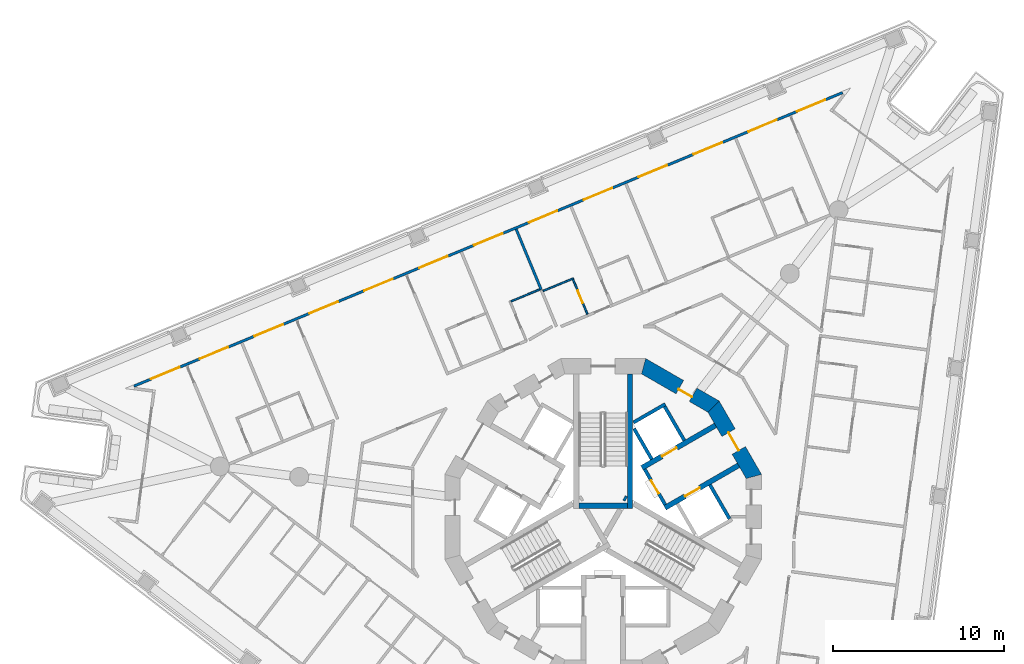
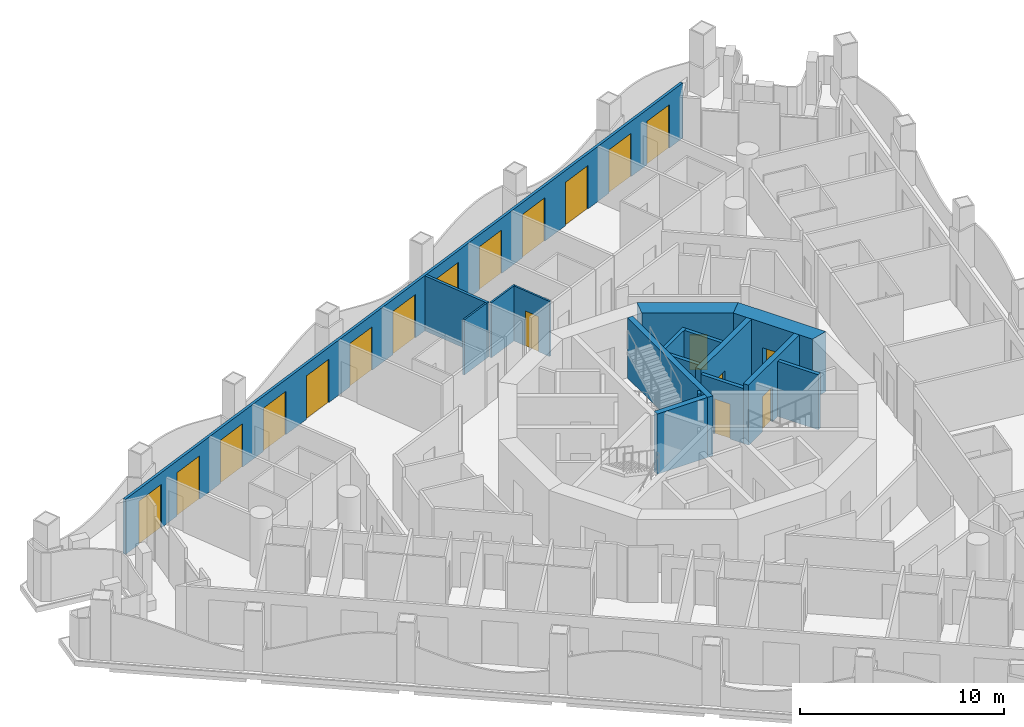
# One storey, part 8 of 17: 19 doors, 17 walls, 19 openings.
"""IFC4 building model written with IfcOpenShell, lengths in metres."""

from ifc_helpers import new_model, si_unit, direction, frame, frame_2d, origin, place, context, subcontext, project, spatial, polyline, rectangle, outline, extrude, material, layer, layer_set, type_object, element, fill, save


model = new_model("IFC4")

# Units and contexts
model_context = context("Model", 3, precision=1e-05, world=origin(), true_north=direction((0.0, 1.0)))
body_context = subcontext(model_context, "Body", "Model", "MODEL_VIEW")
ifc_project = project(units=[si_unit("LENGTHUNIT", "METRE"), si_unit("AREAUNIT", "SQUARE_METRE"), si_unit("VOLUMEUNIT", "CUBIC_METRE"), si_unit("PLANEANGLEUNIT", "RADIAN"), si_unit("MASSUNIT", "GRAM", prefix="KILO")], contexts=[model_context])

# Site, building, storey
site_placement = place(None, origin())
site = spatial("IfcSite", under=ifc_project, at=site_placement, CompositionType="ELEMENT")
building_placement = place(site_placement, origin())
building = spatial("IfcBuilding", under=site, at=building_placement, Name="Trine Commons Tower", CompositionType="ELEMENT")
storey_placement = place(building_placement, frame((0.0, 0.0, 138.60009765625)))
storey = spatial("IfcBuildingStorey", under=building, at=storey_placement, Name="L35", CompositionType="ELEMENT", Elevation=138.60009765625)

# Wall, openings, doors
ifc_material_1 = material(Name="Aluminium-framed insulated wall panel", Category="aluminium")
ifc_layer_1 = layer(ifc_material_1, 0.14990234375)
ifc_layer_set_1 = layer_set([ifc_layer_1], Name="Aluminium-framed insulated wall panel")
wall_type_1 = type_object("IfcWallType", Name="Glazed frame wall 150, EI 60", PredefinedType="SOLIDWALL", material=ifc_layer_set_1)
wall_1_placement = place(storey_placement, frame((52.38671875, 70.099609375, 0.0), z_axis=(0.0, 0.0, 1.0), x_axis=(0.92388051416, 0.382681062447, 0.0)))
wall_1 = element("IfcWall", 1, at=wall_1_placement, inside=storey, type_object=wall_type_1, Name="Glazed frame wall F1", PredefinedType="SOLIDWALL", context=body_context, shape_type="SweptSolid", body=[
    extrude(outline(polyline([(0.1494140625, 0.074951171875), (0.1494140625, -0.074951171875), (45.056884765625, -0.074951171875), (45.056884765625, 0.074951171875), (0.1494140625, 0.074951171875)])), origin(), (0.0, 0.0, 1.0), 3.2998046875),
])
opening_1_placement = place(wall_1_placement, frame((1.23876953125, 0.0, 0.0)))
opening_1 = element("IfcOpeningElement", 2, at=opening_1_placement, cuts=wall_1, Name="Opening BD-4F1-01", PredefinedType="OPENING", context=body_context, shape_type="SweptSolid", body=[
    extrude(rectangle(XDim=1.800048828125, YDim=2.60009765625, at=frame_2d((0.89990234375, 1.300048828125))), frame((0.0, 0.0849609375, 0.0), z_axis=(0.0, -1.0, 0.0), x_axis=(1.0, 0.0, 0.0)), (0.0, 0.0, 1.0), 0.169921875),
])
opening_2_placement = place(wall_1_placement, frame((4.316162109375, 0.0, 0.0)))
opening_2 = element("IfcOpeningElement", 3, at=opening_2_placement, cuts=wall_1, Name="Opening BD-4F1-02", PredefinedType="OPENING", context=body_context, shape_type="SweptSolid", body=[
    extrude(rectangle(XDim=1.800048828125, YDim=2.60009765625, at=frame_2d((0.89990234375, 1.300048828125))), frame((0.0, 0.0849609375, 0.0), z_axis=(0.0, -1.0, 0.0), x_axis=(1.0, 0.0, 0.0)), (0.0, 0.0, 1.0), 0.169921875),
])
opening_3_placement = place(wall_1_placement, frame((7.79345703125, 0.0, 0.0)))
opening_3 = element("IfcOpeningElement", 4, at=opening_3_placement, cuts=wall_1, Name="Opening BD-4F1-03", PredefinedType="OPENING", context=body_context, shape_type="SweptSolid", body=[
    extrude(rectangle(XDim=1.800048828125, YDim=2.60009765625, at=frame_2d((0.89990234375, 1.300048828125))), frame((0.0, 0.0849609375, 0.0), z_axis=(0.0, -1.0, 0.0), x_axis=(1.0, 0.0, 0.0)), (0.0, 0.0, 1.0), 0.169921875),
])
opening_4_placement = place(wall_1_placement, frame((11.27099609375, 0.0, 0.0)))
opening_4 = element("IfcOpeningElement", 5, at=opening_4_placement, cuts=wall_1, Name="Opening BD-4F1-04", PredefinedType="OPENING", context=body_context, shape_type="SweptSolid", body=[
    extrude(rectangle(XDim=1.800048828125, YDim=2.60009765625, at=frame_2d((0.89990234375, 1.300048828125))), frame((0.0, 0.0849609375, 0.0), z_axis=(0.0, -1.0, 0.0), x_axis=(1.0, 0.0, 0.0)), (0.0, 0.0, 1.0), 0.169921875),
])
opening_5_placement = place(wall_1_placement, frame((14.748291015625, 0.0, 0.0)))
opening_5 = element("IfcOpeningElement", 6, at=opening_5_placement, cuts=wall_1, Name="Opening BD-4F1-05", PredefinedType="OPENING", context=body_context, shape_type="SweptSolid", body=[
    extrude(rectangle(XDim=1.800048828125, YDim=2.60009765625, at=frame_2d((0.89990234375, 1.300048828125))), frame((0.0, 0.0849609375, 0.0), z_axis=(0.0, -1.0, 0.0), x_axis=(1.0, 0.0, 0.0)), (0.0, 0.0, 1.0), 0.169921875),
])
opening_6_placement = place(wall_1_placement, frame((18.2255859375, 0.0, 0.0)))
opening_6 = element("IfcOpeningElement", 7, at=opening_6_placement, cuts=wall_1, Name="Opening BD-4F1-06", PredefinedType="OPENING", context=body_context, shape_type="SweptSolid", body=[
    extrude(rectangle(XDim=1.800048828125, YDim=2.60009765625, at=frame_2d((0.89990234375, 1.300048828125))), frame((0.0, 0.0849609375, 0.0), z_axis=(0.0, -1.0, 0.0), x_axis=(1.0, 0.0, 0.0)), (0.0, 0.0, 1.0), 0.169921875),
])
opening_7_placement = place(wall_1_placement, frame((21.703125, 0.0, 0.0)))
opening_7 = element("IfcOpeningElement", 8, at=opening_7_placement, cuts=wall_1, Name="Opening BD-4F1-07", PredefinedType="OPENING", context=body_context, shape_type="SweptSolid", body=[
    extrude(rectangle(XDim=1.800048828125, YDim=2.60009765625, at=frame_2d((0.89990234375, 1.300048828125))), frame((0.0, 0.0849609375, 0.0), z_axis=(0.0, -1.0, 0.0), x_axis=(1.0, 0.0, 0.0)), (0.0, 0.0, 1.0), 0.169921875),
])
opening_8_placement = place(wall_1_placement, frame((25.180419921875, 0.0, 0.0)))
opening_8 = element("IfcOpeningElement", 9, at=opening_8_placement, cuts=wall_1, Name="Opening BD-4F1-08", PredefinedType="OPENING", context=body_context, shape_type="SweptSolid", body=[
    extrude(rectangle(XDim=1.800048828125, YDim=2.60009765625, at=frame_2d((0.89990234375, 1.300048828125))), frame((0.0, 0.0849609375, 0.0), z_axis=(0.0, -1.0, 0.0), x_axis=(1.0, 0.0, 0.0)), (0.0, 0.0, 1.0), 0.169921875),
])
opening_9_placement = place(wall_1_placement, frame((28.657958984375, 0.0, 0.0)))
opening_9 = element("IfcOpeningElement", 10, at=opening_9_placement, cuts=wall_1, Name="Opening BD-4F1-09", PredefinedType="OPENING", context=body_context, shape_type="SweptSolid", body=[
    extrude(rectangle(XDim=1.800048828125, YDim=2.60009765625, at=frame_2d((0.89990234375, 1.300048828125))), frame((0.0, 0.0849609375, 0.0), z_axis=(0.0, -1.0, 0.0), x_axis=(1.0, 0.0, 0.0)), (0.0, 0.0, 1.0), 0.169921875),
])
opening_10_placement = place(wall_1_placement, frame((32.13525390625, 0.0, 0.0)))
opening_10 = element("IfcOpeningElement", 11, at=opening_10_placement, cuts=wall_1, Name="Opening BD-4F1-10", PredefinedType="OPENING", context=body_context, shape_type="SweptSolid", body=[
    extrude(rectangle(XDim=1.800048828125, YDim=2.60009765625, at=frame_2d((0.89990234375, 1.300048828125))), frame((0.0, 0.0849609375, 0.0), z_axis=(0.0, -1.0, 0.0), x_axis=(1.0, 0.0, 0.0)), (0.0, 0.0, 1.0), 0.169921875),
])
opening_11_placement = place(wall_1_placement, frame((35.61279296875, 0.0, 0.0)))
opening_11 = element("IfcOpeningElement", 12, at=opening_11_placement, cuts=wall_1, Name="Opening BD-4F1-11", PredefinedType="OPENING", context=body_context, shape_type="SweptSolid", body=[
    extrude(rectangle(XDim=1.800048828125, YDim=2.60009765625, at=frame_2d((0.89990234375, 1.300048828125))), frame((0.0, 0.0849609375, 0.0), z_axis=(0.0, -1.0, 0.0), x_axis=(1.0, 0.0, 0.0)), (0.0, 0.0, 1.0), 0.169921875),
])
opening_12_placement = place(wall_1_placement, frame((39.090087890625, 0.0, 0.0)))
opening_12 = element("IfcOpeningElement", 13, at=opening_12_placement, cuts=wall_1, Name="Opening BD-4F1-12", PredefinedType="OPENING", context=body_context, shape_type="SweptSolid", body=[
    extrude(rectangle(XDim=1.800048828125, YDim=2.60009765625, at=frame_2d((0.89990234375, 1.300048828125))), frame((0.0, 0.0849609375, 0.0), z_axis=(0.0, -1.0, 0.0), x_axis=(1.0, 0.0, 0.0)), (0.0, 0.0, 1.0), 0.169921875),
])
opening_13_placement = place(wall_1_placement, frame((42.16748046875, 0.0, 0.0)))
opening_13 = element("IfcOpeningElement", 14, at=opening_13_placement, cuts=wall_1, Name="Opening BD-4F1-13", PredefinedType="OPENING", context=body_context, shape_type="SweptSolid", body=[
    extrude(rectangle(XDim=1.800048828125, YDim=2.60009765625, at=frame_2d((0.89990234375, 1.300048828125))), frame((0.0, 0.0849609375, 0.0), z_axis=(0.0, -1.0, 0.0), x_axis=(1.0, 0.0, 0.0)), (0.0, 0.0, 1.0), 0.169921875),
])
ifc_material_2 = material(Name="Anodised aluminium frame with double glazing", Category="aluminium")
door_type_1 = type_object("IfcDoorType", Name="Sliding loggia door 1800x2600", OperationType="SLIDING_TO_LEFT", PredefinedType="DOOR", material=ifc_material_2)
door_1_placement = place(opening_1_placement, origin())
door_1 = element("IfcDoor", 15, at=door_1_placement, inside=storey, type_object=door_type_1, Name="Loggia door F1 1", OperationType="SLIDING_TO_LEFT", OverallHeight=2.60009765625, OverallWidth=1.800048828125, PredefinedType="DOOR", context=body_context, shape_type="SweptSolid", body=[
    extrude(rectangle(XDim=1.800048828125, YDim=2.60009765625, at=frame_2d((0.89990234375, 1.300048828125))), frame((0.0, 0.02490234375, 0.0), z_axis=(0.0, -1.0, 0.0), x_axis=(1.0, 0.0, 0.0)), (0.0, 0.0, 1.0), 0.050048828125),
])
fill(opening_1, door_1)
door_2_placement = place(opening_2_placement, origin())
door_2 = element("IfcDoor", 16, at=door_2_placement, inside=storey, type_object=door_type_1, Name="Loggia door F1 2", OperationType="SLIDING_TO_LEFT", OverallHeight=2.60009765625, OverallWidth=1.800048828125, PredefinedType="DOOR", context=body_context, shape_type="SweptSolid", body=[
    extrude(rectangle(XDim=1.800048828125, YDim=2.60009765625, at=frame_2d((0.89990234375, 1.300048828125))), frame((0.0, 0.02490234375, 0.0), z_axis=(0.0, -1.0, 0.0), x_axis=(1.0, 0.0, 0.0)), (0.0, 0.0, 1.0), 0.050048828125),
])
fill(opening_2, door_2)
door_3_placement = place(opening_3_placement, origin())
door_3 = element("IfcDoor", 17, at=door_3_placement, inside=storey, type_object=door_type_1, Name="Loggia door F1 3", OperationType="SLIDING_TO_LEFT", OverallHeight=2.60009765625, OverallWidth=1.800048828125, PredefinedType="DOOR", context=body_context, shape_type="SweptSolid", body=[
    extrude(rectangle(XDim=1.800048828125, YDim=2.60009765625, at=frame_2d((0.89990234375, 1.300048828125))), frame((0.0, 0.02490234375, 0.0), z_axis=(0.0, -1.0, 0.0), x_axis=(1.0, 0.0, 0.0)), (0.0, 0.0, 1.0), 0.050048828125),
])
fill(opening_3, door_3)
door_4_placement = place(opening_4_placement, origin())
door_4 = element("IfcDoor", 18, at=door_4_placement, inside=storey, type_object=door_type_1, Name="Loggia door F1 4", OperationType="SLIDING_TO_LEFT", OverallHeight=2.60009765625, OverallWidth=1.800048828125, PredefinedType="DOOR", context=body_context, shape_type="SweptSolid", body=[
    extrude(rectangle(XDim=1.800048828125, YDim=2.60009765625, at=frame_2d((0.89990234375, 1.300048828125))), frame((0.0, 0.02490234375, 0.0), z_axis=(0.0, -1.0, 0.0), x_axis=(1.0, 0.0, 0.0)), (0.0, 0.0, 1.0), 0.050048828125),
])
fill(opening_4, door_4)
door_5_placement = place(opening_5_placement, origin())
door_5 = element("IfcDoor", 19, at=door_5_placement, inside=storey, type_object=door_type_1, Name="Loggia door F1 5", OperationType="SLIDING_TO_LEFT", OverallHeight=2.60009765625, OverallWidth=1.800048828125, PredefinedType="DOOR", context=body_context, shape_type="SweptSolid", body=[
    extrude(rectangle(XDim=1.800048828125, YDim=2.60009765625, at=frame_2d((0.89990234375, 1.300048828125))), frame((0.0, 0.02490234375, 0.0), z_axis=(0.0, -1.0, 0.0), x_axis=(1.0, 0.0, 0.0)), (0.0, 0.0, 1.0), 0.050048828125),
])
fill(opening_5, door_5)
door_6_placement = place(opening_6_placement, origin())
door_6 = element("IfcDoor", 20, at=door_6_placement, inside=storey, type_object=door_type_1, Name="Loggia door F1 6", OperationType="SLIDING_TO_LEFT", OverallHeight=2.60009765625, OverallWidth=1.800048828125, PredefinedType="DOOR", context=body_context, shape_type="SweptSolid", body=[
    extrude(rectangle(XDim=1.800048828125, YDim=2.60009765625, at=frame_2d((0.89990234375, 1.300048828125))), frame((0.0, 0.02490234375, 0.0), z_axis=(0.0, -1.0, 0.0), x_axis=(1.0, 0.0, 0.0)), (0.0, 0.0, 1.0), 0.050048828125),
])
fill(opening_6, door_6)
door_7_placement = place(opening_7_placement, origin())
door_7 = element("IfcDoor", 21, at=door_7_placement, inside=storey, type_object=door_type_1, Name="Loggia door F1 7", OperationType="SLIDING_TO_LEFT", OverallHeight=2.60009765625, OverallWidth=1.800048828125, PredefinedType="DOOR", context=body_context, shape_type="SweptSolid", body=[
    extrude(rectangle(XDim=1.800048828125, YDim=2.60009765625, at=frame_2d((0.89990234375, 1.300048828125))), frame((0.0, 0.02490234375, 0.0), z_axis=(0.0, -1.0, 0.0), x_axis=(1.0, 0.0, 0.0)), (0.0, 0.0, 1.0), 0.050048828125),
])
fill(opening_7, door_7)
door_8_placement = place(opening_8_placement, origin())
door_8 = element("IfcDoor", 22, at=door_8_placement, inside=storey, type_object=door_type_1, Name="Loggia door F1 8", OperationType="SLIDING_TO_LEFT", OverallHeight=2.60009765625, OverallWidth=1.800048828125, PredefinedType="DOOR", context=body_context, shape_type="SweptSolid", body=[
    extrude(rectangle(XDim=1.800048828125, YDim=2.60009765625, at=frame_2d((0.89990234375, 1.300048828125))), frame((0.0, 0.02490234375, 0.0), z_axis=(0.0, -1.0, 0.0), x_axis=(1.0, 0.0, 0.0)), (0.0, 0.0, 1.0), 0.050048828125),
])
fill(opening_8, door_8)
door_9_placement = place(opening_9_placement, origin())
door_9 = element("IfcDoor", 23, at=door_9_placement, inside=storey, type_object=door_type_1, Name="Loggia door F1 9", OperationType="SLIDING_TO_LEFT", OverallHeight=2.60009765625, OverallWidth=1.800048828125, PredefinedType="DOOR", context=body_context, shape_type="SweptSolid", body=[
    extrude(rectangle(XDim=1.800048828125, YDim=2.60009765625, at=frame_2d((0.89990234375, 1.300048828125))), frame((0.0, 0.02490234375, 0.0), z_axis=(0.0, -1.0, 0.0), x_axis=(1.0, 0.0, 0.0)), (0.0, 0.0, 1.0), 0.050048828125),
])
fill(opening_9, door_9)
door_10_placement = place(opening_10_placement, origin())
door_10 = element("IfcDoor", 24, at=door_10_placement, inside=storey, type_object=door_type_1, Name="Loggia door F1 10", OperationType="SLIDING_TO_LEFT", OverallHeight=2.60009765625, OverallWidth=1.800048828125, PredefinedType="DOOR", context=body_context, shape_type="SweptSolid", body=[
    extrude(rectangle(XDim=1.800048828125, YDim=2.60009765625, at=frame_2d((0.89990234375, 1.300048828125))), frame((0.0, 0.02490234375, 0.0), z_axis=(0.0, -1.0, 0.0), x_axis=(1.0, 0.0, 0.0)), (0.0, 0.0, 1.0), 0.050048828125),
])
fill(opening_10, door_10)
door_11_placement = place(opening_11_placement, origin())
door_11 = element("IfcDoor", 25, at=door_11_placement, inside=storey, type_object=door_type_1, Name="Loggia door F1 11", OperationType="SLIDING_TO_LEFT", OverallHeight=2.60009765625, OverallWidth=1.800048828125, PredefinedType="DOOR", context=body_context, shape_type="SweptSolid", body=[
    extrude(rectangle(XDim=1.800048828125, YDim=2.60009765625, at=frame_2d((0.89990234375, 1.300048828125))), frame((0.0, 0.02490234375, 0.0), z_axis=(0.0, -1.0, 0.0), x_axis=(1.0, 0.0, 0.0)), (0.0, 0.0, 1.0), 0.050048828125),
])
fill(opening_11, door_11)
door_12_placement = place(opening_12_placement, origin())
door_12 = element("IfcDoor", 26, at=door_12_placement, inside=storey, type_object=door_type_1, Name="Loggia door F1 12", OperationType="SLIDING_TO_LEFT", OverallHeight=2.60009765625, OverallWidth=1.800048828125, PredefinedType="DOOR", context=body_context, shape_type="SweptSolid", body=[
    extrude(rectangle(XDim=1.800048828125, YDim=2.60009765625, at=frame_2d((0.89990234375, 1.300048828125))), frame((0.0, 0.02490234375, 0.0), z_axis=(0.0, -1.0, 0.0), x_axis=(1.0, 0.0, 0.0)), (0.0, 0.0, 1.0), 0.050048828125),
])
fill(opening_12, door_12)
door_13_placement = place(opening_13_placement, origin())
door_13 = element("IfcDoor", 27, at=door_13_placement, inside=storey, type_object=door_type_1, Name="Loggia door F1 13", OperationType="SLIDING_TO_LEFT", OverallHeight=2.60009765625, OverallWidth=1.800048828125, PredefinedType="DOOR", context=body_context, shape_type="SweptSolid", body=[
    extrude(rectangle(XDim=1.800048828125, YDim=2.60009765625, at=frame_2d((0.89990234375, 1.300048828125))), frame((0.0, 0.02490234375, 0.0), z_axis=(0.0, -1.0, 0.0), x_axis=(1.0, 0.0, 0.0)), (0.0, 0.0, 1.0), 0.050048828125),
])
fill(opening_13, door_13)

# Wall, opening, door
ifc_material_3 = material(Name="Fire-rated gypsum shaft wall system")
ifc_layer_2 = layer(ifc_material_3, 0.199951171875)
ifc_layer_set_2 = layer_set([ifc_layer_2], Name="Fire-rated gypsum shaft wall system")
wall_type_2 = type_object("IfcWallType", Name="Lobby end wall 200 mm, EI 120", PredefinedType="PARTITIONING", material=ifc_layer_set_2)
wall_2_placement = place(storey_placement, frame((83.631103515625, 63.2109375, 0.0), z_axis=(0.0, 0.0, 1.0), x_axis=(-0.50012165622, 0.865955154139, 0.0)))
wall_2 = element("IfcWall", 28, at=wall_2_placement, inside=storey, type_object=wall_type_2, Name="Lobby end wall L35", PredefinedType="PARTITIONING", context=body_context, shape_type="SweptSolid", body=[
    extrude(rectangle(XDim=2.39990234375, YDim=0.199951171875, at=frame_2d((1.199951171875, 0.0))), origin(), (0.0, 0.0, 1.0), 3.2998046875),
])
opening_14_placement = place(wall_2_placement, frame((0.749755859375, 0.0, 0.0)))
opening_14 = element("IfcOpeningElement", 29, at=opening_14_placement, cuts=wall_2, Name="Opening K10.05", PredefinedType="OPENING", context=body_context, shape_type="SweptSolid", body=[
    extrude(rectangle(XDim=0.89990234375, YDim=2.10009765625, at=frame_2d((0.449951171875, 1.050048828125))), frame((0.0, 0.10986328125, 0.0), z_axis=(0.0, -1.0, 0.0), x_axis=(1.0, 0.0, 0.0)), (0.0, 0.0, 1.0), 0.219970703125),
])
ifc_material_4 = material(Name="Steel door leaf, fire-rated", Category="steel")
door_type_2 = type_object("IfcDoorType", Name="Riser access door, single leaf 900 x 2100, FD60", OperationType="SINGLE_SWING_LEFT", PredefinedType="DOOR", material=ifc_material_4)
door_14_placement = place(opening_14_placement, frame((0.89990234375, 0.0, 0.0), z_axis=(0.0, 0.0, 1.0), x_axis=(-1.0, 0.0, 0.0)))
door_14 = element("IfcDoor", 30, at=door_14_placement, inside=storey, type_object=door_type_2, Name="Riser door, Electrical riser L35", OperationType="SINGLE_SWING_LEFT", OverallHeight=2.10009765625, OverallWidth=0.89990234375, PredefinedType="DOOR", context=body_context, shape_type="SweptSolid", body=[
    extrude(rectangle(XDim=0.89990234375, YDim=2.10009765625, at=frame_2d((0.449951171875, 1.050048828125))), frame((0.0, 0.02490234375, 0.0), z_axis=(0.0, -1.0, 0.0), x_axis=(1.0, 0.0, 0.0)), (0.0, 0.0, 1.0), 0.050048828125),
])
fill(opening_14, door_14)

ifc_material_5 = material(Name="Concrete C70/85", Category="concrete")
ifc_layer_3 = layer(ifc_material_5, 0.300048828125)
ifc_layer_set_3 = layer_set([ifc_layer_3], Name="Concrete C70/85")
wall_type_3 = type_object("IfcWallType", Name="RC shear wall 300 mm, C70/85", PredefinedType="SHEAR", material=ifc_layer_set_3)
wall_3_placement = place(storey_placement, frame((82.26904296875, 65.368896484375, 0.0), z_axis=(0.0, 0.0, 1.0), x_axis=(0.865983655544, 0.500072303102, 0.0)))
wall_3 = element("IfcWall", 31, at=wall_3_placement, inside=storey, type_object=wall_type_3, Name="Core cross wall SWB-05 L35", PredefinedType="SHEAR", context=body_context, shape_type="SweptSolid", body=[
    extrude(rectangle(XDim=4.973388671875, YDim=0.300048828125, at=frame_2d((2.48681640625, 0.0))), origin(), (0.0, 0.0, 1.0), 3.599853515625),
])
opening_15_placement = place(wall_3_placement, frame((1.3505859375, 0.0, 0.0)))
opening_15 = element("IfcOpeningElement", 32, at=opening_15_placement, cuts=wall_3, Name="Opening LD5", PredefinedType="OPENING", context=body_context, shape_type="SweptSolid", body=[
    extrude(rectangle(XDim=1.0, YDim=2.10009765625, at=frame_2d((0.5, 1.050048828125))), frame((0.0, 0.159912109375, 0.0), z_axis=(0.0, -1.0, 0.0), x_axis=(1.0, 0.0, 0.0)), (0.0, 0.0, 1.0), 0.320068359375),
])
ifc_material_6 = material(Name="Stainless steel sliding door leaves", Category="steel")
door_type_3 = type_object("IfcDoorType", Name="Lift landing door, centre-opening sliding 1000 x 2100, FD90", OperationType="DOUBLE_DOOR_SLIDING", PredefinedType="DOOR", material=ifc_material_6)
door_15_placement = place(opening_15_placement, origin())
door_15 = element("IfcDoor", 33, at=door_15_placement, inside=storey, type_object=door_type_3, Name="Lift landing door HR1 L35", OperationType="DOUBLE_DOOR_SLIDING", OverallHeight=2.10009765625, OverallWidth=1.0, PredefinedType="DOOR", context=body_context, shape_type="SweptSolid", body=[
    extrude(rectangle(XDim=1.0, YDim=2.10009765625, at=frame_2d((0.5, 1.050048828125))), frame((0.0, 0.02490234375, 0.0), z_axis=(0.0, -1.0, 0.0), x_axis=(1.0, 0.0, 0.0)), (0.0, 0.0, 1.0), 0.050048828125),
])
fill(opening_15, door_15)

wall_4_placement = place(storey_placement, frame((83.618896484375, 63.031005859375, 0.0), z_axis=(0.0, 0.0, 1.0), x_axis=(0.866080953719, 0.499903772346, 0.0)))
wall_4 = element("IfcWall", 34, at=wall_4_placement, inside=storey, type_object=wall_type_3, Name="Core cross wall SWB-06 L35", PredefinedType="SHEAR", context=body_context, shape_type="SweptSolid", body=[
    extrude(rectangle(XDim=4.97314453125, YDim=0.300048828125, at=frame_2d((2.486572265625, 0.0))), origin(), (0.0, 0.0, 1.0), 3.599853515625),
])
opening_16_placement = place(wall_4_placement, frame((1.350341796875, 0.0, 0.0)))
opening_16 = element("IfcOpeningElement", 35, at=opening_16_placement, cuts=wall_4, Name="Opening LD6", PredefinedType="OPENING", context=body_context, shape_type="SweptSolid", body=[
    extrude(rectangle(XDim=1.0, YDim=2.10009765625, at=frame_2d((0.5, 1.050048828125))), frame((0.0, 0.159912109375, 0.0), z_axis=(0.0, -1.0, 0.0), x_axis=(1.0, 0.0, 0.0)), (0.0, 0.0, 1.0), 0.320068359375),
])
door_16_placement = place(opening_16_placement, origin())
door_16 = element("IfcDoor", 36, at=door_16_placement, inside=storey, type_object=door_type_3, Name="Lift landing door HR2 L35", OperationType="DOUBLE_DOOR_SLIDING", OverallHeight=2.10009765625, OverallWidth=1.0, PredefinedType="DOOR", context=body_context, shape_type="SweptSolid", body=[
    extrude(rectangle(XDim=1.0, YDim=2.10009765625, at=frame_2d((0.5, 1.050048828125))), frame((0.0, 0.02490234375, 0.0), z_axis=(0.0, -1.0, 0.0), x_axis=(1.0, 0.0, 0.0)), (0.0, 0.0, 1.0), 0.050048828125),
])
fill(opening_16, door_16)

# Walls
wall_5_placement = place(storey_placement, frame((81.220947265625, 63.614013671875, 0.0), z_axis=(0.0, 0.0, 1.0), x_axis=(0.867737973955, -0.497021939713, 0.0)))
element("IfcWall", 37, at=wall_5_placement, inside=storey, type_object=wall_type_3, Name="Core cross wall SWB-15 L35", PredefinedType="SHEAR", context=body_context, shape_type="SweptSolid", body=[
    extrude(rectangle(XDim=0.14892578125, YDim=0.300048828125, at=frame_2d((0.074462890625, 0.0))), origin(), (0.0, 0.0, 1.0), 3.599853515625),
])
wall_6_placement = place(storey_placement, frame((81.425048828125, 63.15087890625, 0.0), z_axis=(0.0, 0.0, 1.0), x_axis=(-1.0, 0.0, 0.0)))
element("IfcWall", 38, at=wall_6_placement, inside=storey, type_object=wall_type_3, Name="Core cross wall SWB-16 L35", PredefinedType="SHEAR", context=body_context, shape_type="SweptSolid", body=[
    extrude(rectangle(XDim=2.85009765625, YDim=0.300048828125, at=frame_2d((1.425048828125, 0.0))), origin(), (0.0, 0.0, 1.0), 3.599853515625),
])
wall_7_placement = place(storey_placement, frame((81.574951171875, 63.0009765625, 0.0), z_axis=(0.0, 0.0, 1.0), x_axis=(0.0, 1.0, 0.0)))
element("IfcWall", 39, at=wall_7_placement, inside=storey, type_object=wall_type_3, Name="Core cross wall SWB-17 L35", PredefinedType="SHEAR", context=body_context, shape_type="SweptSolid", body=[
    extrude(rectangle(XDim=7.8720703125, YDim=0.300048828125, at=frame_2d((3.93603515625, 0.0))), origin(), (0.0, 0.0, 1.0), 3.599853515625),
])

# Wall, opening, door
ifc_layer_4 = layer(ifc_material_5, 0.89990234375)
ifc_layer_set_4 = layer_set([ifc_layer_4], Name="Concrete C70/85")
wall_type_4 = type_object("IfcWallType", Name="RC shear wall 900 mm, C70/85", PredefinedType="SHEAR", material=ifc_layer_set_4)
wall_8_placement = place(storey_placement, frame((88.88330078125, 64.759765625, 0.0), z_axis=(0.0, 0.0, 1.0), x_axis=(-0.500038571144, 0.866003133579, 0.0)))
wall_8 = element("IfcWall", 40, at=wall_8_placement, inside=storey, type_object=wall_type_4, Name="Core wall CWD-02 L35", PredefinedType="SHEAR", context=body_context, shape_type="SweptSolid", body=[
    extrude(outline(polyline([(0.0, -0.449951171875), (4.96923828125, -0.449951171875), (4.72802734375, 0.449951171875), (0.2412109375, 0.449951171875), (0.0, -0.449951171875)])), origin(), (0.0, 0.0, 1.0), 3.599853515625),
])
opening_17_placement = place(wall_8_placement, frame((1.884521484375, 0.0, 0.0)))
opening_17 = element("IfcOpeningElement", 41, at=opening_17_placement, cuts=wall_8, Name="Opening K10.04", PredefinedType="OPENING", context=body_context, shape_type="SweptSolid", body=[
    extrude(rectangle(XDim=1.199951171875, YDim=2.10009765625, at=frame_2d((0.60009765625, 1.050048828125))), frame((0.0, 0.4599609375, 0.0), z_axis=(0.0, -1.0, 0.0), x_axis=(1.0, 0.0, 0.0)), (0.0, 0.0, 1.0), 0.919921875),
])
ifc_material_7 = material(Name="Steel door leaves, fire-rated", Category="steel")
door_type_4 = type_object("IfcDoorType", Name="Lobby door, double leaf 1200 x 2100, FD60", OperationType="DOUBLE_DOOR_SINGLE_SWING", PredefinedType="DOOR", material=ifc_material_7)
door_17_placement = place(opening_17_placement, origin())
door_17 = element("IfcDoor", 42, at=door_17_placement, inside=storey, type_object=door_type_4, Name="Lobby door, Passenger lift lobby A L35", OperationType="DOUBLE_DOOR_SINGLE_SWING", OverallHeight=2.10009765625, OverallWidth=1.199951171875, PredefinedType="DOOR", context=body_context, shape_type="SweptSolid", body=[
    extrude(rectangle(XDim=1.199951171875, YDim=2.10009765625, at=frame_2d((0.60009765625, 1.050048828125))), frame((0.0, 0.02490234375, 0.0), z_axis=(0.0, -1.0, 0.0), x_axis=(1.0, 0.0, 0.0)), (0.0, 0.0, 1.0), 0.050048828125),
])
fill(opening_17, door_17)

wall_9_placement = place(storey_placement, frame((86.563232421875, 68.8984375, 0.0), z_axis=(0.0, 0.0, 1.0), x_axis=(-0.866003133579, 0.500038571144, 0.0)))
wall_9 = element("IfcWall", 43, at=wall_9_placement, inside=storey, type_object=wall_type_4, Name="Core wall CWD-03 L35", PredefinedType="SHEAR", context=body_context, shape_type="SweptSolid", body=[
    extrude(outline(polyline([(0.0, -0.449951171875), (4.96923828125, -0.449951171875), (4.72802734375, 0.449951171875), (0.2412109375, 0.449951171875), (0.0, -0.449951171875)])), origin(), (0.0, 0.0, 1.0), 3.599853515625),
])
opening_18_placement = place(wall_9_placement, frame((1.49609375, 0.0, 0.0)))
opening_18 = element("IfcOpeningElement", 44, at=opening_18_placement, cuts=wall_9, Name="Opening K10.12", PredefinedType="OPENING", context=body_context, shape_type="SweptSolid", body=[
    extrude(rectangle(XDim=0.89990234375, YDim=2.10009765625, at=frame_2d((0.449951171875, 1.050048828125))), frame((0.0, 0.4599609375, 0.0), z_axis=(0.0, -1.0, 0.0), x_axis=(1.0, 0.0, 0.0)), (0.0, 0.0, 1.0), 0.919921875),
])
door_type_5 = type_object("IfcDoorType", Name="Core room door, single leaf 900 x 2100, FD30S", OperationType="SINGLE_SWING_LEFT", PredefinedType="DOOR", material=ifc_material_4)
door_18_placement = place(opening_18_placement, origin())
door_18 = element("IfcDoor", 45, at=door_18_placement, inside=storey, type_object=door_type_5, Name="Door to Pantry L35", OperationType="SINGLE_SWING_LEFT", OverallHeight=2.10009765625, OverallWidth=0.89990234375, PredefinedType="DOOR", context=body_context, shape_type="SweptSolid", body=[
    extrude(rectangle(XDim=0.89990234375, YDim=2.10009765625, at=frame_2d((0.449951171875, 1.050048828125))), frame((0.0, 0.1748046875, 0.0), z_axis=(0.0, -1.0, 0.0), x_axis=(1.0, 0.0, 0.0)), (0.0, 0.0, 1.0), 0.050048828125),
])
fill(opening_18, door_18)

# Walls
ifc_layer_5 = layer(ifc_material_3, 0.199951171875)
ifc_layer_set_5 = layer_set([ifc_layer_5], Name="Fire-rated gypsum shaft wall system")
wall_type_5 = type_object("IfcWallType", Name="Shaft wall 200 mm, EI 120", PredefinedType="PARTITIONING", material=ifc_layer_set_5)
wall_10_placement = place(storey_placement, frame((81.77490234375, 68.028076171875, 0.0), z_axis=(0.0, 0.0, 1.0), x_axis=(0.866130725101, 0.499817533742, 0.0)))
element("IfcWall", 46, at=wall_10_placement, inside=storey, type_object=wall_type_5, Name="Shaft wall L35", PredefinedType="PARTITIONING", context=body_context, shape_type="SweptSolid", body=[
    extrude(rectangle(XDim=2.148681640625, YDim=0.199951171875, at=frame_2d((1.07421875, 0.0))), origin(), (0.0, 0.0, 1.0), 3.2998046875),
])
wall_11_placement = place(storey_placement, frame((82.843994140625, 65.8740234375, 0.0), z_axis=(0.0, 0.0, 1.0), x_axis=(-0.499865770674, 0.866102887253, 0.0)))
element("IfcWall", 47, at=wall_11_placement, inside=storey, type_object=wall_type_5, Name="Shaft wall L35", PredefinedType="PARTITIONING", context=body_context, shape_type="SweptSolid", body=[
    extrude(rectangle(XDim=2.064453125, YDim=0.199951171875, at=frame_2d((1.0322265625, 0.0))), origin(), (0.0, 0.0, 1.0), 3.2998046875),
])
for number, where, z_axis, x_axis, name in (
    (48, (84.7490234375, 66.97412109375, 0.0), (0.0, 0.0, 1.0), (-0.500136062276, 0.86594683394, 0.0), "Shaft wall L35"),
    (49, (86.2490234375, 64.3759765625, 0.0), (0.0, 0.0, 1.0), (0.500136062276, -0.86594683394, 0.0), "Shaft wall L35"),
):
    element("IfcWall", number, at=place(storey_placement, frame(where, z_axis=z_axis, x_axis=x_axis)), inside=storey, type_object=wall_type_5, Name=name, PredefinedType="PARTITIONING", context=body_context, shape_type="SweptSolid", body=[
        extrude(rectangle(XDim=2.299072265625, YDim=0.199951171875, at=frame_2d((1.1494140625, 0.0))), origin(), (0.0, 0.0, 1.0), 3.2998046875),
    ])
ifc_material_8 = material(Name="Gypsum plasterboard on steel stud", Category="steel")
ifc_layer_6 = layer(ifc_material_8, 0.14990234375)
ifc_layer_set_6 = layer_set([ifc_layer_6], Name="Gypsum plasterboard on steel stud")
wall_type_6 = type_object("IfcWallType", Name="Unit and corridor wall 150 mm, EI 60", PredefinedType="PARTITIONING", material=ifc_layer_set_6)
wall_12_placement = place(storey_placement, frame((74.904296875, 79.344970703125, 0.0), z_axis=(0.0, 0.0, 1.0), x_axis=(0.382748860911, -0.923852428406, 0.0)))
element("IfcWall", 50, at=wall_12_placement, inside=storey, type_object=wall_type_6, Name="Partition 059", PredefinedType="PARTITIONING", context=body_context, shape_type="SweptSolid", body=[
    extrude(rectangle(XDim=3.83740234375, YDim=0.14990234375, at=frame_2d((1.918701171875, 0.0))), origin(), (0.0, 0.0, 1.0), 3.2998046875),
])
ifc_layer_7 = layer(ifc_material_8, 0.10009765625)
ifc_layer_set_7 = layer_set([ifc_layer_7], Name="Gypsum plasterboard on steel stud")
wall_type_7 = type_object("IfcWallType", Name="Unit partition 100 mm, no rating", PredefinedType="PARTITIONING", material=ifc_layer_set_7)
wall_13_placement = place(storey_placement, frame((74.59912109375, 75.1181640625, 0.0), z_axis=(0.0, 0.0, 1.0), x_axis=(0.923677447173, 0.383170945641, 0.0)))
element("IfcWall", 51, at=wall_13_placement, inside=storey, type_object=wall_type_7, Name="Partition 058", PredefinedType="PARTITIONING", context=body_context, shape_type="SweptSolid", body=[
    extrude(rectangle(XDim=1.82470703125, YDim=0.10009765625, at=frame_2d((0.912353515625, 0.0))), origin(), (0.0, 0.0, 1.0), 3.2998046875),
])
wall_14_placement = place(storey_placement, frame((76.4833984375, 75.728759765625, 0.0), z_axis=(0.0, 0.0, 1.0), x_axis=(0.923967386518, 0.38247126513, 0.0)))
element("IfcWall", 52, at=wall_14_placement, inside=storey, type_object=wall_type_7, Name="Partition 064", PredefinedType="PARTITIONING", context=body_context, shape_type="SweptSolid", body=[
    extrude(rectangle(XDim=1.92529296875, YDim=0.10009765625, at=frame_2d((0.962646484375, 0.0))), origin(), (0.0, 0.0, 1.0), 3.2998046875),
])

# Wall, opening, door
wall_15_placement = place(storey_placement, frame((78.235107421875, 76.39990234375, 0.0), z_axis=(0.0, 0.0, 1.0), x_axis=(0.382776895774, -0.923840813161, 0.0)))
wall_15 = element("IfcWall", 53, at=wall_15_placement, inside=storey, type_object=wall_type_7, Name="Partition 068", PredefinedType="PARTITIONING", context=body_context, shape_type="SweptSolid", body=[
    extrude(rectangle(XDim=2.197998046875, YDim=0.10009765625, at=frame_2d((1.09912109375, 0.0))), origin(), (0.0, 0.0, 1.0), 3.2998046875),
])
opening_19_placement = place(wall_15_placement, frame((0.698974609375, 0.0, 0.0)))
opening_19 = element("IfcOpeningElement", 54, at=opening_19_placement, cuts=wall_15, Name="Opening D-4B40", PredefinedType="OPENING", context=body_context, shape_type="SweptSolid", body=[
    extrude(rectangle(XDim=0.800048828125, YDim=2.10009765625, at=frame_2d((0.39990234375, 1.050048828125))), frame((0.0, 0.06005859375, 0.0), z_axis=(0.0, -1.0, 0.0), x_axis=(1.0, 0.0, 0.0)), (0.0, 0.0, 1.0), 0.1201171875),
])
ifc_material_9 = material(Name="Painted timber", Category="wood")
door_type_6 = type_object("IfcDoorType", Name="Internal door 800 x 2100, NOT RATED", OperationType="NOTDEFINED", PredefinedType="DOOR", material=ifc_material_9)
door_19_placement = place(opening_19_placement, origin())
door_19 = element("IfcDoor", 55, at=door_19_placement, inside=storey, type_object=door_type_6, Name="Door D-4B40", OperationType="SINGLE_SWING_RIGHT", OverallHeight=2.10009765625, OverallWidth=0.800048828125, PredefinedType="DOOR", context=body_context, shape_type="SweptSolid", body=[
    extrude(rectangle(XDim=0.800048828125, YDim=2.10009765625, at=frame_2d((0.39990234375, 1.050048828125))), frame((0.0, 0.02490234375, 0.0), z_axis=(0.0, -1.0, 0.0), x_axis=(1.0, 0.0, 0.0)), (0.0, 0.0, 1.0), 0.050048828125),
])
fill(opening_19, door_19)

save(model, "model.ifc")
